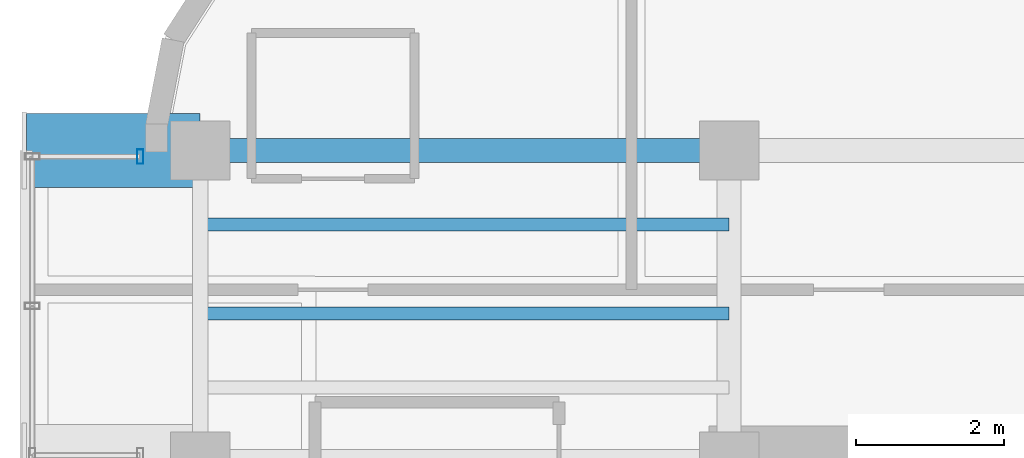
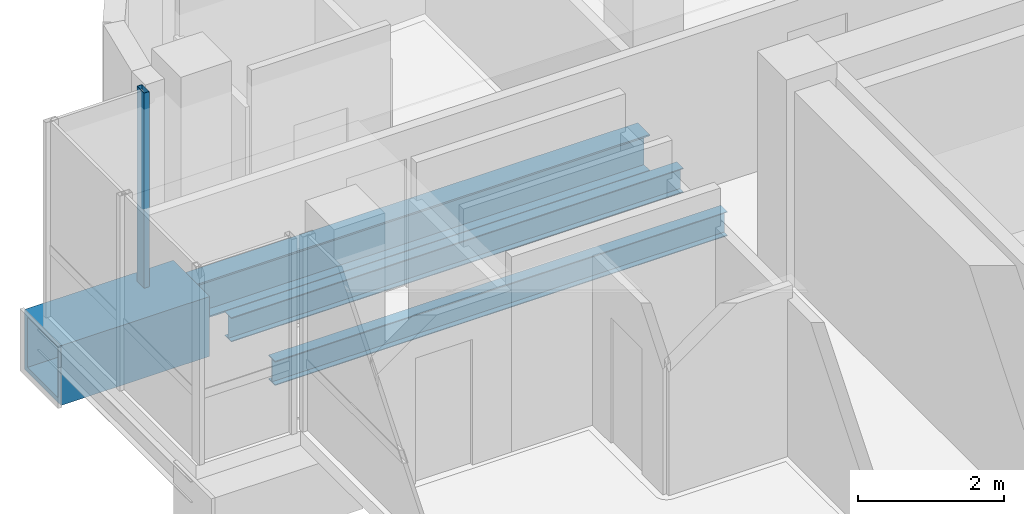
# One storey, part 8 of 20: 4 beams, 1 member, 1 element without a shape of its own.
"""IFC4 building model written with IfcOpenShell, lengths in metres."""

import ifcopenshell
import ifcopenshell.guid

model = None  # the IFC model being written
_history = None  # IfcOwnerHistory: only IFC2X3 demands one
_inside = {}  # id of a spatial element -> (the spatial element, [elements in it])
_under = {}  # id of a project, library or spatial element -> (it, [spatial elements below it])
_declared = {}  # id of a project -> (the project, [libraries it declares])
_typed = {}  # id of a type object -> (the type object, [elements of that type])
_made_of = {}  # id of a material, layer set ... -> (it, [elements and type objects made of it])


def new_model(schema):
    """Start an empty IFC model of exactly this schema.

    Asked for "IFC4X3", IfcOpenShell would pick the latest addendum, in which some entities
    have other attributes; the version numbers below select the first issue.
    IFC2X3 requires an IfcOwnerHistory on every rooted entity: one is made here for all.
    """
    global model, _history
    if schema == "IFC4X3":
        model = ifcopenshell.file(schema_version=(4, 3, 0, 0))
    else:
        model = ifcopenshell.file(schema=schema)
    _inside.clear()
    _under.clear()
    _declared.clear()
    _typed.clear()
    _made_of.clear()
    _history = None
    if model.schema == "IFC2X3":
        org = make("IfcOrganization", Name="unknown")
        user = make(
            "IfcPersonAndOrganization",
            ThePerson=make("IfcPerson", FamilyName="unknown"),
            TheOrganization=org,
        )
        app = make(
            "IfcApplication",
            ApplicationDeveloper=org,
            Version="unknown",
            ApplicationFullName="unknown",
            ApplicationIdentifier="unknown",
        )
        _history = make(
            "IfcOwnerHistory",
            OwningUser=user,
            OwningApplication=app,
            ChangeAction="ADDED",
            CreationDate=0,
        )
    return model


def make(cls, **values):
    """One entity of the class cls with the attributes given. An attribute that is None is left unset."""
    return model.create_entity(
        cls, **{name: value for name, value in values.items() if value is not None}
    )


def rooted(cls, **values):
    """An entity with a GlobalId (a new one), such as an element, a storey or a relation."""
    return make(cls, GlobalId=ifcopenshell.guid.new(), OwnerHistory=_history, **values)


def si_unit(unit_type, name, prefix=None):
    """IfcSIUnit, for example si_unit("LENGTHUNIT", "METRE", prefix="MILLI")."""
    return make("IfcSIUnit", UnitType=unit_type, Prefix=prefix, Name=name)


def assignment(units):
    """IfcUnitAssignment: the units of a project."""
    return None if units is None else make("IfcUnitAssignment", Units=units)


def point(xyz):
    """IfcCartesianPoint."""
    return None if xyz is None else make("IfcCartesianPoint", Coordinates=xyz)


def direction(xyz):
    """IfcDirection."""
    return None if xyz is None else make("IfcDirection", DirectionRatios=xyz)


def frame(location, z_axis=None, x_axis=None):
    """IfcAxis2Placement3D, a coordinate frame: its origin and axes. An axis left out is left unset."""
    return make(
        "IfcAxis2Placement3D",
        Location=point(location),
        Axis=direction(z_axis),
        RefDirection=direction(x_axis),
    )


def frame_2d(location, x_axis=None):
    """IfcAxis2Placement2D, a coordinate frame in the plane: its origin and x axis."""
    return make(
        "IfcAxis2Placement2D", Location=point(location), RefDirection=direction(x_axis)
    )


def origin():
    """The frame at (0, 0, 0) with its axes left unset."""
    return frame((0.0, 0.0, 0.0))


def origin_2d():
    """The frame at (0, 0) in the plane with its x axis left unset."""
    return frame_2d((0.0, 0.0))


def place(relative_to, where):
    """IfcLocalPlacement: puts the frame where relative to a parent placement (None: the world)."""
    return make(
        "IfcLocalPlacement", PlacementRelTo=relative_to, RelativePlacement=where
    )


def context(
    kind, dimensions, precision=None, world=None, true_north=None, identifier=None
):
    """IfcGeometricRepresentationContext, for example the 3D "Model" context."""
    return make(
        "IfcGeometricRepresentationContext",
        ContextIdentifier=identifier,
        ContextType=kind,
        CoordinateSpaceDimension=dimensions,
        Precision=precision,
        WorldCoordinateSystem=world,
        TrueNorth=true_north,
    )


def subcontext(parent, identifier, kind, view, scale=None):
    """IfcGeometricRepresentationSubContext, for example "Body" below "Model"."""
    return make(
        "IfcGeometricRepresentationSubContext",
        ContextIdentifier=identifier,
        ContextType=kind,
        ParentContext=parent,
        TargetScale=scale,
        TargetView=view,
    )


def project(units=None, contexts=None):
    """IfcProject with its units and contexts."""
    return rooted(
        "IfcProject",
        Name="project",
        RepresentationContexts=contexts,
        UnitsInContext=assignment(units),
    )


def spatial(cls, under=None, at=None, **own):
    """A site, building, storey or space (cls), placed at a placement, below another one or the project."""
    s = rooted(cls, ObjectPlacement=at, **own)
    if under is not None:
        _under.setdefault(under.id(), (under, []))[1].append(s)
    return s


def profile(cls, at=None, kind="AREA", **sizes):
    """A parametric profile (cls). Its sizes go by their IFC names, for example OverallWidth=200.0."""
    return make(cls, ProfileType=kind, Position=at, **sizes)


def hollow_rectangle(**sizes):
    """IfcRectangleHollowProfileDef."""
    return profile("IfcRectangleHollowProfileDef", **sizes)


def i_section(**sizes):
    """IfcIShapeProfileDef."""
    return profile("IfcIShapeProfileDef", **sizes)


def extrude(swept, where, along, depth):
    """IfcExtrudedAreaSolid: the profile swept, set in the frame where, extruded along a direction by depth."""
    return make(
        "IfcExtrudedAreaSolid",
        SweptArea=swept,
        Position=where,
        ExtrudedDirection=direction(along),
        Depth=depth,
    )


def shape(context_of_items, identifier, shape_type, items):
    """IfcShapeRepresentation: the items that make up one representation, for example the "Body"."""
    return make(
        "IfcShapeRepresentation",
        ContextOfItems=context_of_items,
        RepresentationIdentifier=identifier,
        RepresentationType=shape_type,
        Items=items,
    )


def source(mapping_origin, context_of_items, identifier, shape_type, items):
    """IfcRepresentationMap: a shape defined once, which mapped items show again and again."""
    return make(
        "IfcRepresentationMap",
        MappingOrigin=mapping_origin,
        MappedRepresentation=shape(context_of_items, identifier, shape_type, items),
    )


def transform(
    local_origin,
    x_axis=None,
    y_axis=None,
    z_axis=None,
    scale=None,
    scale2=None,
    scale3=None,
    uniform=True,
):
    """IfcCartesianTransformationOperator3D, or its non-uniform kind. x_axis, y_axis, z_axis: its Axis1, 2, 3."""
    if uniform:
        return make(
            "IfcCartesianTransformationOperator3D",
            Axis1=direction(x_axis),
            Axis2=direction(y_axis),
            LocalOrigin=point(local_origin),
            Scale=scale,
            Axis3=direction(z_axis),
        )
    return make(
        "IfcCartesianTransformationOperator3DnonUniform",
        Axis1=direction(x_axis),
        Axis2=direction(y_axis),
        LocalOrigin=point(local_origin),
        Scale=scale,
        Axis3=direction(z_axis),
        Scale2=scale2,
        Scale3=scale3,
    )


def mapped(mapping_source, mapping_target):
    """IfcMappedItem: shows the shape of a source again, moved by a transform."""
    return make(
        "IfcMappedItem", MappingSource=mapping_source, MappingTarget=mapping_target
    )


def material(Name=None, Category=None):
    """IfcMaterial."""
    return make("IfcMaterial", Name=Name, Category=Category)


def material_profile(
    of_material, cross_section, Name=None, Category=None, Priority=None
):
    """IfcMaterialProfile: a cross section and its material."""
    return make(
        "IfcMaterialProfile",
        Name=Name,
        Material=of_material,
        Profile=cross_section,
        Priority=Priority,
        Category=Category,
    )


def profile_set(profiles, Name=None, composite=None):
    """IfcMaterialProfileSet."""
    return make(
        "IfcMaterialProfileSet",
        Name=Name,
        MaterialProfiles=profiles,
        CompositeProfile=composite,
    )


def made_of(thing, what):
    """Note that an element or type object is made of a material, layer set ...; save() writes the relation."""
    if what is not None:
        _made_of.setdefault(what.id(), (what, []))[1].append(thing)
    return thing


def type_object(cls, material=None, **own):
    """A type object (cls), such as IfcWallType, which elements share."""
    return made_of(rooted(cls, **own), material)


def element(
    cls,
    number,
    at=None,
    inside=None,
    cuts=None,
    type_object=None,
    material=None,
    context=None,
    identifier="Body",
    shape_type=None,
    held_by="IfcProductDefinitionShape",
    body=None,
    shapes=None,
    **own,
):
    """One element of the class cls, such as IfcWall. Its Tag is "e" and its number.

    at: its placement. inside: the storey or other place that contains it. cuts: it is an
    opening in that element (IfcRelVoidsElement). A single representation is given by context,
    identifier, shape_type and body (its items); several are given by shapes. held_by: the class
    of the entity that holds the representations. save() writes the other relations.
    """
    e = rooted(cls, Tag="e%d" % number, ObjectPlacement=at, **own)
    if body is not None:
        shapes = [shape(context, identifier, shape_type, body)]
    if shapes is not None:
        e.Representation = make(held_by, Representations=shapes)
    if inside is not None:
        _inside.setdefault(inside.id(), (inside, []))[1].append(e)
    if cuts is not None:
        rooted(
            "IfcRelVoidsElement", RelatingBuildingElement=cuts, RelatedOpeningElement=e
        )
    if type_object is not None:
        _typed.setdefault(type_object.id(), (type_object, []))[1].append(e)
    return made_of(e, material)


def aggregate(whole, parts):
    """IfcRelAggregates: a whole, such as a stair, and the parts it consists of."""
    return rooted("IfcRelAggregates", RelatingObject=whole, RelatedObjects=parts)


def save(model, path):
    """Write the relations noted so far, then the file.

    IfcRelAggregates (storeys below a building ...), IfcRelContainedInSpatialStructure (elements
    in a storey), IfcRelDefinesByType, IfcRelAssociatesMaterial and IfcRelDeclares: one each for
    every whole, place, type object, material and project.
    """
    for whole, parts in _under.values():
        aggregate(whole, parts)
    for where, things in _inside.values():
        rooted(
            "IfcRelContainedInSpatialStructure",
            RelatedElements=things,
            RelatingStructure=where,
        )
    for kind, things in _typed.values():
        rooted("IfcRelDefinesByType", RelatedObjects=things, RelatingType=kind)
    for what, things in _made_of.values():
        rooted("IfcRelAssociatesMaterial", RelatedObjects=things, RelatingMaterial=what)
    for by, libraries in _declared.values():
        rooted("IfcRelDeclares", RelatingContext=by, RelatedDefinitions=libraries)
    model.write(path)


model = new_model("IFC4")

# Units and contexts
model_context = context("Model", 3, precision=1e-05, world=origin(), true_north=direction((0.0, 1.0)))
body_context = subcontext(model_context, "Body", "Model", "MODEL_VIEW")
ifc_project = project(units=[si_unit("LENGTHUNIT", "METRE"), si_unit("AREAUNIT", "SQUARE_METRE"), si_unit("VOLUMEUNIT", "CUBIC_METRE"), si_unit("PLANEANGLEUNIT", "RADIAN"), si_unit("MASSUNIT", "GRAM", prefix="KILO")], contexts=[model_context])

# Site, building, storey
site_placement = place(None, origin())
site = spatial("IfcSite", under=ifc_project, at=site_placement, CompositionType="ELEMENT")
building_placement = place(site_placement, origin())
building = spatial("IfcBuilding", under=site, at=building_placement, Name="Valdorenza Pilgrim Sanctuary Tower", CompositionType="ELEMENT")
storey_placement = place(building_placement, frame((0.0, 0.0, 283.5)))
storey = spatial("IfcBuildingStorey", under=building, at=storey_placement, Name="L74", CompositionType="ELEMENT", Elevation=283.5)

# Beams
ifc_material_1 = material(Name="Steel ASTM A992 Grade 50", Category="steel")
ifc_material_profile_1 = material_profile(ifc_material_1, i_section(OverallWidth=0.177978515625, OverallDepth=0.406005859375, WebThickness=0.0078125, FlangeThickness=0.0126953125, at=origin_2d()), Name="W16X40")
ifc_profile_set_1 = profile_set([ifc_material_profile_1], Name="Steel ASTM A992 Grade 50")
beam_type_1 = type_object("IfcBeamType", Name="STR-BM-JST-W16", PredefinedType="JOIST", material=ifc_profile_set_1)
shared_shape_1 = source(origin(), body_context, "Body", "SweptSolid", [
    extrude(i_section(OverallWidth=0.177978515625, OverallDepth=0.406005859375, WebThickness=0.0078125, FlangeThickness=0.0126953125, at=origin_2d()), origin(), (0.0, 0.0, 1.0), 7.150146484375),
])
for number, where, z_axis, x_axis, name in (
    (1, (-29.800048828125, 12.60009765625, -0.443115234375), (1.0, 0.0, 0.0), (0.0, 1.0, 0.0), "L74 Composite Floor Joist JST-WA-25"),
    (2, (-29.800048828125, 13.800048828125, -0.443115234375), (1.0, 0.0, 0.0), (0.0, 1.0, 0.0), "L74 Composite Floor Joist JST-WA-26"),
):
    element("IfcBeam", number, at=place(storey_placement, frame(where, z_axis=z_axis, x_axis=x_axis)), inside=storey, type_object=beam_type_1, Name=name, PredefinedType="JOIST", context=body_context, shape_type="MappedRepresentation", body=[
        mapped(shared_shape_1, transform((0.0, 0.0, 0.0), x_axis=(1.0, 0.0, 0.0), y_axis=(0.0, 1.0, 0.0), z_axis=(0.0, 0.0, 1.0), scale=1.0)),
    ])
ifc_material_2 = material(Name="Steel ASTM A572 Grade 42", Category="steel")
ifc_material_profile_2 = material_profile(ifc_material_2, hollow_rectangle(XDim=1.0, YDim=1.0, WallThickness=0.080078125, at=origin_2d()), Name="BOX 1000x1000x80")
ifc_profile_set_2 = profile_set([ifc_material_profile_2], Name="Steel ASTM A572 Grade 42")
beam_type_2 = type_object("IfcBeamType", Name="STR-BM-PROW-CANT", PredefinedType="BEAM", material=ifc_profile_set_2)
shared_shape_2 = source(origin(), body_context, "Body", "SweptSolid", [
    extrude(hollow_rectangle(XDim=1.0, YDim=1.0, WallThickness=0.080078125, at=origin_2d()), origin(), (0.0, 0.0, 1.0), 2.349853515625),
])
beam_1_placement = place(storey_placement, frame((-29.800048828125, 14.800048828125, -0.739990234375), z_axis=(-1.0, 0.0, 0.0), x_axis=(0.0, -1.0, 0.0)))
element("IfcBeam", 3, at=beam_1_placement, inside=storey, type_object=beam_type_2, Name="L74 Glass Box Cantilever Beam BOX-WA-L74-CT-N", PredefinedType="BEAM", context=body_context, shape_type="MappedRepresentation", body=[
    mapped(shared_shape_2, transform((0.0, 0.0, 0.0), x_axis=(1.0, 0.0, 0.0), y_axis=(0.0, 1.0, 0.0), z_axis=(0.0, 0.0, 1.0), scale=1.0)),
])
ifc_material_profile_3 = material_profile(ifc_material_1, i_section(OverallWidth=0.326904296875, OverallDepth=0.6220703125, WebThickness=0.015380859375, FlangeThickness=0.0244140625, at=origin_2d()), Name="W24X131")
ifc_profile_set_3 = profile_set([ifc_material_profile_3], Name="Steel ASTM A992 Grade 50")
beam_type_3 = type_object("IfcBeamType", Name="STR-BM-GRD-W24A", PredefinedType="BEAM", material=ifc_profile_set_3)
shared_shape_3 = source(origin(), body_context, "Body", "SweptSolid", [
    extrude(i_section(OverallWidth=0.326904296875, OverallDepth=0.6220703125, WebThickness=0.015380859375, FlangeThickness=0.0244140625, at=origin_2d()), origin(), (0.0, 0.0, 1.0), 7.150146484375),
])
beam_2_placement = place(storey_placement, frame((-29.800048828125, 14.800048828125, -0.551025390625), z_axis=(1.0, 0.0, 0.0), x_axis=(0.0, 1.0, 0.0)))
element("IfcBeam", 4, at=beam_2_placement, inside=storey, type_object=beam_type_3, Name="L74 Floor Girder WA-XW-N2", PredefinedType="BEAM", context=body_context, shape_type="MappedRepresentation", body=[
    mapped(shared_shape_3, transform((0.0, 0.0, 0.0), x_axis=(1.0, 0.0, 0.0), y_axis=(0.0, 1.0, 0.0), z_axis=(0.0, 0.0, 1.0), scale=1.0)),
])

# Curtain wall, member
ifc_material_3 = material(Name="Curtain-wall IGU glazing", Category="glass")
curtain_wall_type = type_object("IfcCurtainWallType", Name="CW-SYS-02", PredefinedType="NOTDEFINED", material=ifc_material_3)
curtain_wall_placement = place(storey_placement, origin())
curtain_wall = element("IfcCurtainWall", 5, at=curtain_wall_placement, inside=storey, type_object=curtain_wall_type, Name="L74 Curtain Wall CW-L74-BOX-WA-L74-N", PredefinedType="NOTDEFINED")
ifc_material_4 = material(Name="Anodised aluminium AW-6060", Category="aluminium")
ifc_material_profile_4 = material_profile(ifc_material_4, hollow_rectangle(XDim=0.0849609375, YDim=0.199951171875, WallThickness=0.0048828125, at=origin_2d()), Name="ALU-M 200x85x5")
ifc_profile_set_4 = profile_set([ifc_material_profile_4], Name="Anodised aluminium AW-6060")
member_type = type_object("IfcMemberType", Name="CW-MUL-02", PredefinedType="MULLION", material=ifc_profile_set_4)
shared_shape_4 = source(origin(), body_context, "Body", "SweptSolid", [
    extrude(hollow_rectangle(XDim=0.0849609375, YDim=0.199951171875, WallThickness=0.0048828125, at=origin_2d()), origin(), (0.0, 0.0, 1.0), 3.260009765625),
])
member_placement = place(storey_placement, frame((-30.610107421875, 14.719970703125, 0.0), z_axis=(0.0, 0.0, 1.0), x_axis=(1.0, 0.0, 0.0)))
member = element("IfcMember", 6, at=member_placement, type_object=member_type, Name="CW-L74-BOX-WA-L74-N Mullion 2", PredefinedType="MULLION", context=body_context, shape_type="MappedRepresentation", body=[
    mapped(shared_shape_4, transform((0.0, 0.0, 0.0), x_axis=(1.0, 0.0, 0.0), y_axis=(0.0, 1.0, 0.0), z_axis=(0.0, 0.0, 1.0), scale=1.0)),
])
aggregate(curtain_wall, [member])

save(model, "model.ifc")
